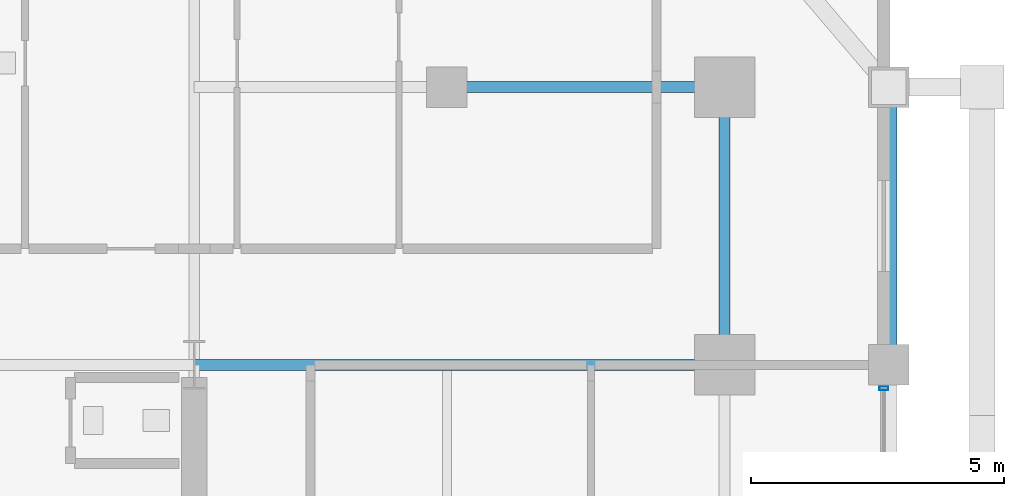
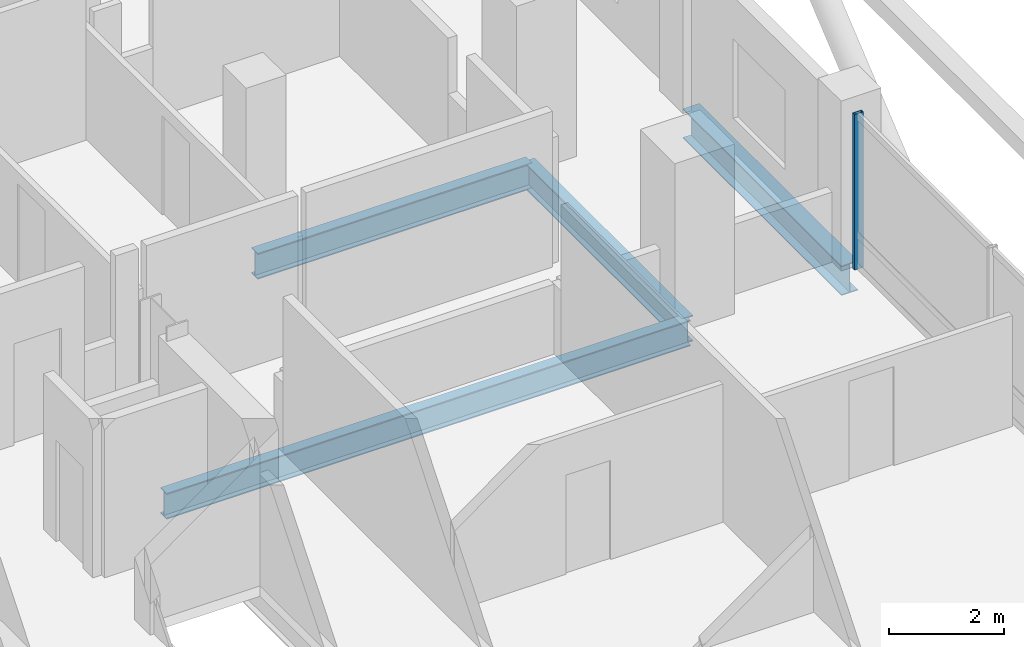
# One storey, part 17 of 25: 4 beams, 1 member, 1 element without a shape of its own.
"""IFC4 building model written with IfcOpenShell, lengths in metres."""

from ifc_helpers import new_model, si_unit, direction, frame, origin, origin_2d, place, context, subcontext, project, spatial, hollow_rectangle, i_section, extrude, material, layer, layer_set, material_profile, profile_set, type_object, element, aggregate, save


model = new_model("IFC4")

# Units and contexts
model_context = context("Model", 3, precision=1e-05, world=origin(), true_north=direction((0.0, 1.0)))
body_context = subcontext(model_context, "Body", "Model", "MODEL_VIEW")
ifc_project = project(units=[si_unit("LENGTHUNIT", "METRE"), si_unit("AREAUNIT", "SQUARE_METRE"), si_unit("VOLUMEUNIT", "CUBIC_METRE"), si_unit("PLANEANGLEUNIT", "RADIAN"), si_unit("MASSUNIT", "GRAM", prefix="KILO")], contexts=[model_context])

# Site, building, storey
site_placement = place(None, origin())
site = spatial("IfcSite", under=ifc_project, at=site_placement, CompositionType="ELEMENT")
building_placement = place(site_placement, origin())
building = spatial("IfcBuilding", under=site, at=building_placement, Name="Barlavira Tower and Art Museum", CompositionType="ELEMENT")
storey_placement = place(building_placement, frame((0.0, 0.0, 162.0)))
storey = spatial("IfcBuildingStorey", under=building, at=storey_placement, Name="L41", CompositionType="ELEMENT", Elevation=162.0)

# Curtain wall, member
ifc_material_1 = material(Name="Low-iron coastal laminated glass", Category="glass")
ifc_layer = layer(ifc_material_1, 0.18994140625, Name="Low-iron coastal laminated glass")
ifc_layer_set = layer_set([ifc_layer], Name="Low-iron coastal laminated glass")
curtain_wall_type = type_object("IfcCurtainWallType", Name="Pale-Metal Unitised Curtain Wall Zone 2", PredefinedType="NOTDEFINED", material=ifc_layer_set)
curtain_wall_placement = place(storey_placement, origin())
curtain_wall = element("IfcCurtainWall", 1, at=curtain_wall_placement, inside=storey, type_object=curtain_wall_type, Name="L41 Curtain Wall CW2-L41-E-B3", PredefinedType="NOTDEFINED")
ifc_material_2 = material(Name="Pale anodised aluminium", Category="aluminium")
ifc_material_profile_1 = material_profile(ifc_material_2, hollow_rectangle(XDim=0.06494140625, YDim=0.179931640625, WallThickness=0.00390625, at=origin_2d()), Name="ALU-MULL 65x180x4")
ifc_profile_set_1 = profile_set([ifc_material_profile_1], Name="Pale anodised aluminium")
member_type = type_object("IfcMemberType", Name="Curtain Wall Pale-Metal Mullion 65x180", PredefinedType="MULLION", material=ifc_profile_set_1)
member_placement = place(storey_placement, frame((20.14990234375, 7.034912109375, 0.0), z_axis=(0.0, 0.0, 1.0), x_axis=(0.0, 1.0, 0.0)))
member = element("IfcMember", 2, at=member_placement, type_object=member_type, Name="CW2-L41-E-B3 Mullion 3", PredefinedType="MULLION", context=body_context, shape_type="SweptSolid", body=[
    extrude(hollow_rectangle(XDim=0.06494140625, YDim=0.179931640625, WallThickness=0.00390625, at=origin_2d()), origin(), (0.0, 0.0, 1.0), 3.300048828125),
])
aggregate(curtain_wall, [member])

# Beams
ifc_material_3 = material(Name="Steel S355", Category="steel")
ifc_material_profile_2 = material_profile(ifc_material_3, i_section(OverallWidth=0.327880859375, OverallDepth=0.62890625, WebThickness=0.013916015625, FlangeThickness=0.021484375, at=origin_2d()), Name="W610x174.0")
ifc_profile_set_2 = profile_set([ifc_material_profile_2], Name="Steel S355")
beam_type_1 = type_object("IfcBeamType", Name="Perimeter Spandrel Edge Beam W610x174 Steel S355", PredefinedType="SPANDREL", material=ifc_profile_set_2)
beam_1_placement = place(storey_placement, frame((20.25, 7.5, -0.534423828125), z_axis=(0.0, 1.0, 0.0), x_axis=(-1.0, 0.0, 0.0)))
element("IfcBeam", 3, at=beam_1_placement, inside=storey, type_object=beam_type_1, Name="L41 Spandrel 7", PredefinedType="SPANDREL", context=body_context, shape_type="SweptSolid", body=[
    extrude(i_section(OverallWidth=0.327880859375, OverallDepth=0.62890625, WebThickness=0.013916015625, FlangeThickness=0.021484375, at=origin_2d()), origin(), (0.0, 0.0, 1.0), 5.5),
])
ifc_material_profile_3 = material_profile(ifc_material_3, i_section(OverallWidth=0.214111328125, OverallDepth=0.549072265625, WebThickness=0.0146484375, FlangeThickness=0.023681640625, at=origin_2d()), Name="W530x138.0")
ifc_profile_set_3 = profile_set([ifc_material_profile_3], Name="Steel S355")
beam_type_2 = type_object("IfcBeamType", Name="Zone 1 Primary Floor Girder W530x138 Steel S355", PredefinedType="BEAM", material=ifc_profile_set_3)
beam_2_placement = place(storey_placement, frame((17.0, 7.5, -0.494384765625), z_axis=(0.0, 1.0, 0.0), x_axis=(-1.0, 0.0, 0.0)))
element("IfcBeam", 4, at=beam_2_placement, inside=storey, type_object=beam_type_2, Name="L41 Girder M-E3", PredefinedType="BEAM", context=body_context, shape_type="SweptSolid", body=[
    extrude(i_section(OverallWidth=0.214111328125, OverallDepth=0.549072265625, WebThickness=0.0146484375, FlangeThickness=0.023681640625, at=origin_2d()), origin(), (0.0, 0.0, 1.0), 5.5),
])
beam_3_placement = place(storey_placement, frame((6.5, 7.5, -0.494384765625), z_axis=(1.0, 0.0, 0.0), x_axis=(0.0, 1.0, 0.0)))
element("IfcBeam", 5, at=beam_3_placement, inside=storey, type_object=beam_type_2, Name="L41 Girder R-E2", PredefinedType="BEAM", context=body_context, shape_type="SweptSolid", body=[
    extrude(i_section(OverallWidth=0.214111328125, OverallDepth=0.549072265625, WebThickness=0.0146484375, FlangeThickness=0.023681640625, at=origin_2d()), origin(), (0.0, 0.0, 1.0), 10.5),
])
beam_4_placement = place(storey_placement, frame((11.5, 13.0, -0.494384765625), z_axis=(1.0, 0.0, 0.0), x_axis=(0.0, 1.0, 0.0)))
element("IfcBeam", 6, at=beam_4_placement, inside=storey, type_object=beam_type_2, Name="L41 Girder I-N4", PredefinedType="BEAM", context=body_context, shape_type="SweptSolid", body=[
    extrude(i_section(OverallWidth=0.214111328125, OverallDepth=0.549072265625, WebThickness=0.0146484375, FlangeThickness=0.023681640625, at=origin_2d()), origin(), (0.0, 0.0, 1.0), 5.5),
])

save(model, "model.ifc")
